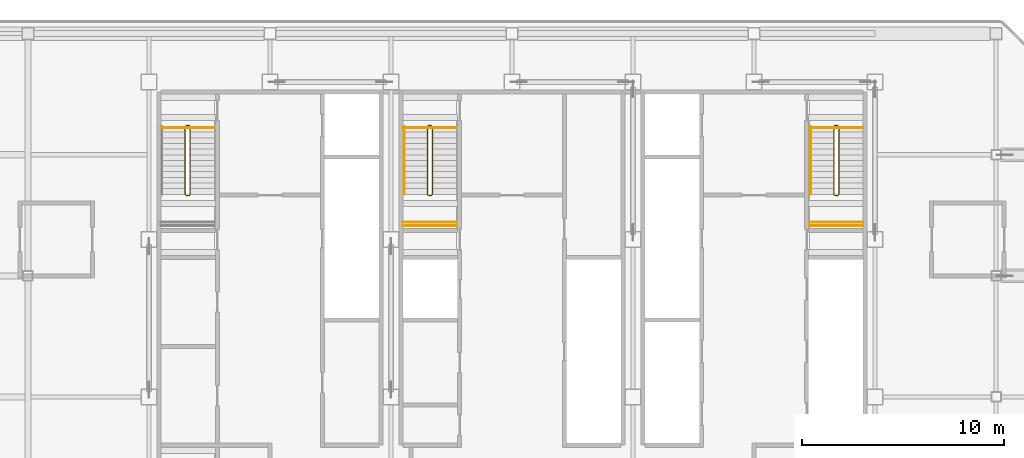
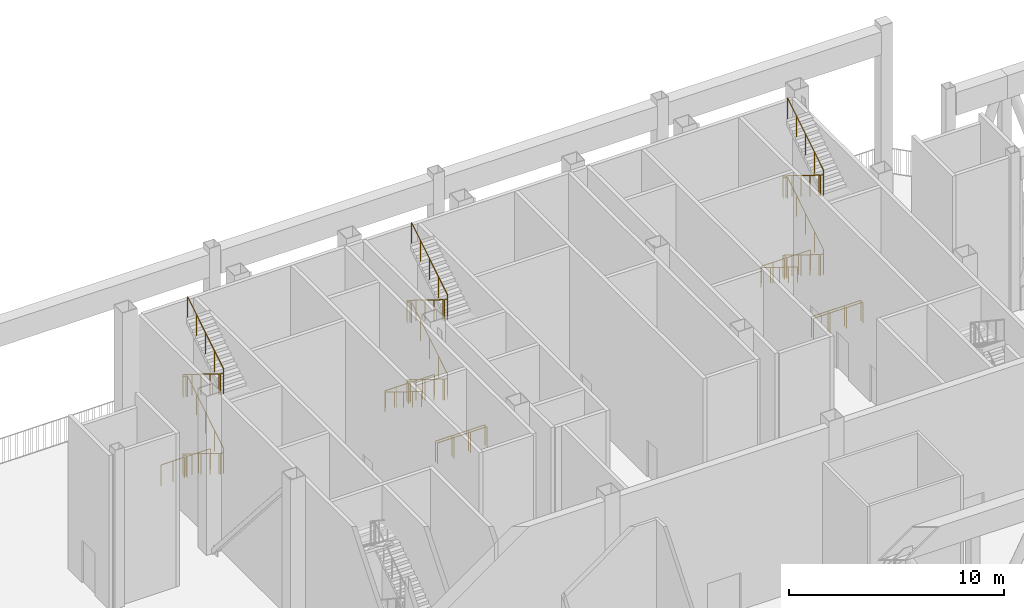
# One storey, part 19 of 22: 15 railings.
"""IFC4 building model written with IfcOpenShell, lengths in metres."""

from ifc_helpers import new_model, si_unit, direction, frame, origin, origin_2d, place, context, subcontext, project, spatial, circle, extrude, material, type_object, element, save


model = new_model("IFC4")

# Units and contexts
model_context = context("Model", 3, precision=1e-05, world=origin(), true_north=direction((0.0, 1.0)))
body_context = subcontext(model_context, "Body", "Model", "MODEL_VIEW")
ifc_project = project(units=[si_unit("LENGTHUNIT", "METRE"), si_unit("AREAUNIT", "SQUARE_METRE"), si_unit("VOLUMEUNIT", "CUBIC_METRE"), si_unit("PLANEANGLEUNIT", "RADIAN"), si_unit("MASSUNIT", "GRAM", prefix="KILO")], contexts=[model_context])

# Site, building, storey
site_placement = place(None, origin())
site = spatial("IfcSite", under=ifc_project, at=site_placement, CompositionType="ELEMENT")
building_placement = place(site_placement, origin())
building = spatial("IfcBuilding", under=site, at=building_placement, Name="Sorahane Residences", CompositionType="ELEMENT")
storey_placement = place(building_placement, frame((0.0, 0.0, 281.800048828125)))
storey = spatial("IfcBuildingStorey", under=building, at=storey_placement, Name="L67", CompositionType="ELEMENT", Elevation=281.800048828125)

# Railings
ifc_material_1 = material(Name="Steel Q355B", Category="steel")
railing_type_1 = type_object("IfcRailingType", Name="Stair guard 1200 Steel Q355B", PredefinedType="GUARDRAIL", material=ifc_material_1)
for number, where, name in (
    (1, (6.60009765625, 43.35009765625, 0.0), "L67 Stair S1 edge guard"),
    (2, (7.983154296875, 43.35009765625, 0.0), "L67 Stair S1 edge guard"),
):
    element("IfcRailing", number, at=place(storey_placement, frame(where)), inside=storey, type_object=railing_type_1, Name=name, PredefinedType="GUARDRAIL", context=body_context, shape_type="SweptSolid", body=[
        extrude(circle(Radius=0.02392578125, at=origin_2d()), frame((0.0, 0.0, 1.17578125), z_axis=(1.0, 0.0, 0.0), x_axis=(0.0, 1.0, 0.0)), (0.0, 0.0, 1.0), 1.266845703125),
        extrude(circle(Radius=0.02099609375, at=origin_2d()), origin(), (0.0, 0.0, 1.0), 1.15185546875),
        extrude(circle(Radius=0.02099609375, at=origin_2d()), frame((0.63330078125, 0.0, 0.0)), (0.0, 0.0, 1.0), 1.15185546875),
        extrude(circle(Radius=0.02099609375, at=origin_2d()), frame((1.266845703125, 0.0, 0.0)), (0.0, 0.0, 1.0), 1.15185546875),
    ])
railing_1_placement = place(storey_placement, frame((8.0, 43.449951171875, 0.0)))
element("IfcRailing", 3, at=railing_1_placement, inside=storey, type_object=railing_type_1, Name="L67 S1 stair guard 1", PredefinedType="GUARDRAIL", context=body_context, shape_type="SweptSolid", body=[
    extrude(circle(Radius=0.02392578125, at=origin_2d()), frame((0.0, 0.0, 1.17578125), z_axis=(-1.0, 0.0, 0.0), x_axis=(0.0, -1.0, 0.0)), (0.0, 0.0, 1.0), 0.14990234375),
    extrude(circle(Radius=0.02392578125, at=origin_2d()), frame((-0.14990234375, 0.0, 1.17578125), z_axis=(-0.267629722418, -0.267629722418, 0.925607186314), x_axis=(0.707106781187, -0.707106781187, 0.0)), (0.0, 0.0, 1.0), 0.18701171875),
    extrude(circle(Radius=0.02392578125, at=origin_2d()), frame((-0.199951171875, -0.050048828125, 1.34912109375), z_axis=(0.0, -0.850606129759, 0.525803396734), x_axis=(1.0, 0.0, 0.0)), (0.0, 0.0, 1.0), 3.949951171875),
    extrude(circle(Radius=0.02392578125, at=origin_2d()), frame((-0.199951171875, -3.409912109375, 3.42578125), z_axis=(0.707106781187, -0.707106781187, 0.0), x_axis=(0.707106781187, 0.707106781187, 0.0)), (0.0, 0.0, 1.0), 0.07080078125),
    extrude(circle(Radius=0.02392578125, at=origin_2d()), frame((-0.14990234375, -3.4599609375, 3.42578125), z_axis=(1.0, 0.0, 0.0), x_axis=(0.0, 1.0, 0.0)), (0.0, 0.0, 1.0), 0.14990234375),
    extrude(circle(Radius=0.02392578125, at=origin_2d()), frame((0.0, -3.4599609375, 3.42578125), z_axis=(0.267629722418, 0.267629722418, 0.925607186314), x_axis=(-0.707106781187, 0.707106781187, 0.0)), (0.0, 0.0, 1.0), 0.18701171875),
    extrude(circle(Radius=0.02392578125, at=origin_2d()), frame((0.050048828125, -3.409912109375, 3.59912109375), z_axis=(0.0, 0.850606129759, 0.525803396734), x_axis=(-1.0, 0.0, 0.0)), (0.0, 0.0, 1.0), 3.949951171875),
    extrude(circle(Radius=0.02392578125, at=origin_2d()), frame((0.050048828125, -0.050048828125, 5.67578125), z_axis=(-0.707106781187, 0.707106781187, 0.0), x_axis=(-0.707106781187, -0.707106781187, 0.0)), (0.0, 0.0, 1.0), 0.07080078125),
    extrude(circle(Radius=0.02392578125, at=origin_2d()), frame((0.0, 0.0, 5.67578125), z_axis=(-1.0, 0.0, 0.0), x_axis=(0.0, -1.0, 0.0)), (0.0, 0.0, 1.0), 0.14990234375),
    extrude(circle(Radius=0.02392578125, at=origin_2d()), frame((-0.14990234375, 0.0, 5.67578125), z_axis=(-0.267629722418, -0.267629722418, 0.925607186314), x_axis=(0.707106781187, -0.707106781187, 0.0)), (0.0, 0.0, 1.0), 0.18701171875),
    extrude(circle(Radius=0.02392578125, at=origin_2d()), frame((-0.199951171875, -0.050048828125, 5.84912109375), z_axis=(0.0, -0.850606129759, 0.525803396734), x_axis=(1.0, 0.0, 0.0)), (0.0, 0.0, 1.0), 3.949951171875),
    extrude(circle(Radius=0.02392578125, at=origin_2d()), frame((-0.199951171875, -3.409912109375, 7.92578125), z_axis=(0.707106781187, -0.707106781187, 0.0), x_axis=(0.707106781187, 0.707106781187, 0.0)), (0.0, 0.0, 1.0), 0.07080078125),
    extrude(circle(Radius=0.02392578125, at=origin_2d()), frame((-0.14990234375, -3.4599609375, 7.92578125), z_axis=(1.0, 0.0, 0.0), x_axis=(0.0, 1.0, 0.0)), (0.0, 0.0, 1.0), 0.14990234375),
    extrude(circle(Radius=0.02392578125, at=origin_2d()), frame((0.0, -3.4599609375, 7.92578125), z_axis=(0.267629722418, 0.267629722418, 0.925607186314), x_axis=(-0.707106781187, 0.707106781187, 0.0)), (0.0, 0.0, 1.0), 0.18701171875),
    extrude(circle(Radius=0.02392578125, at=origin_2d()), frame((0.050048828125, -3.409912109375, 8.09912109375), z_axis=(0.0, 0.850606129759, 0.525803396734), x_axis=(-1.0, 0.0, 0.0)), (0.0, 0.0, 1.0), 3.949951171875),
    extrude(circle(Radius=0.02099609375, at=origin_2d()), origin(), (0.0, 0.0, 1.0), 1.15185546875),
    extrude(circle(Radius=0.02099609375, at=origin_2d()), frame((-0.14990234375, 0.0, 0.0)), (0.0, 0.0, 1.0), 1.15185546875),
    extrude(circle(Radius=0.02099609375, at=origin_2d()), frame((-0.199951171875, -0.050048828125, 0.173095703125)), (0.0, 0.0, 1.0), 1.15185546875),
    extrude(circle(Radius=0.02099609375, at=origin_2d()), frame((-0.199951171875, -0.89013671875, 0.6923828125)), (0.0, 0.0, 1.0), 1.15185546875),
    extrude(circle(Radius=0.02099609375, at=origin_2d()), frame((-0.199951171875, -1.72998046875, 1.21142578125)), (0.0, 0.0, 1.0), 1.15185546875),
    extrude(circle(Radius=0.02099609375, at=origin_2d()), frame((-0.199951171875, -2.56982421875, 1.730712890625)), (0.0, 0.0, 1.0), 1.15185546875),
    extrude(circle(Radius=0.02099609375, at=origin_2d()), frame((-0.199951171875, -3.409912109375, 2.25)), (0.0, 0.0, 1.0), 1.15185546875),
    extrude(circle(Radius=0.02099609375, at=origin_2d()), frame((-0.14990234375, -3.4599609375, 2.25)), (0.0, 0.0, 1.0), 1.15185546875),
    extrude(circle(Radius=0.02099609375, at=origin_2d()), frame((0.0, -3.4599609375, 2.25)), (0.0, 0.0, 1.0), 1.15185546875),
    extrude(circle(Radius=0.02099609375, at=origin_2d()), frame((0.050048828125, -3.409912109375, 2.423095703125)), (0.0, 0.0, 1.0), 1.15185546875),
    extrude(circle(Radius=0.02099609375, at=origin_2d()), frame((0.050048828125, -2.56982421875, 2.9423828125)), (0.0, 0.0, 1.0), 1.15185546875),
    extrude(circle(Radius=0.02099609375, at=origin_2d()), frame((0.050048828125, -1.72998046875, 3.46142578125)), (0.0, 0.0, 1.0), 1.15185546875),
    extrude(circle(Radius=0.02099609375, at=origin_2d()), frame((0.050048828125, -0.89013671875, 3.980712890625)), (0.0, 0.0, 1.0), 1.15185546875),
    extrude(circle(Radius=0.02099609375, at=origin_2d()), frame((0.050048828125, -0.050048828125, 4.5)), (0.0, 0.0, 1.0), 1.15185546875),
    extrude(circle(Radius=0.02099609375, at=origin_2d()), frame((0.0, 0.0, 4.5)), (0.0, 0.0, 1.0), 1.15185546875),
    extrude(circle(Radius=0.02099609375, at=origin_2d()), frame((-0.14990234375, 0.0, 4.5)), (0.0, 0.0, 1.0), 1.15185546875),
    extrude(circle(Radius=0.02099609375, at=origin_2d()), frame((-0.199951171875, -0.050048828125, 4.673095703125)), (0.0, 0.0, 1.0), 1.15185546875),
    extrude(circle(Radius=0.02099609375, at=origin_2d()), frame((-0.199951171875, -0.89013671875, 5.1923828125)), (0.0, 0.0, 1.0), 1.15185546875),
    extrude(circle(Radius=0.02099609375, at=origin_2d()), frame((-0.199951171875, -1.72998046875, 5.71142578125)), (0.0, 0.0, 1.0), 1.15185546875),
    extrude(circle(Radius=0.02099609375, at=origin_2d()), frame((-0.199951171875, -2.56982421875, 6.230712890625)), (0.0, 0.0, 1.0), 1.15185546875),
    extrude(circle(Radius=0.02099609375, at=origin_2d()), frame((-0.199951171875, -3.409912109375, 6.75)), (0.0, 0.0, 1.0), 1.15185546875),
    extrude(circle(Radius=0.02099609375, at=origin_2d()), frame((-0.14990234375, -3.4599609375, 6.75)), (0.0, 0.0, 1.0), 1.15185546875),
    extrude(circle(Radius=0.02099609375, at=origin_2d()), frame((0.0, -3.4599609375, 6.75)), (0.0, 0.0, 1.0), 1.15185546875),
    extrude(circle(Radius=0.02099609375, at=origin_2d()), frame((0.050048828125, -3.409912109375, 6.923095703125)), (0.0, 0.0, 1.0), 1.15185546875),
    extrude(circle(Radius=0.02099609375, at=origin_2d()), frame((0.050048828125, -2.56982421875, 7.4423828125)), (0.0, 0.0, 1.0), 1.15185546875),
    extrude(circle(Radius=0.02099609375, at=origin_2d()), frame((0.050048828125, -1.72998046875, 7.96142578125)), (0.0, 0.0, 1.0), 1.15185546875),
    extrude(circle(Radius=0.02099609375, at=origin_2d()), frame((0.050048828125, -0.89013671875, 8.480712890625)), (0.0, 0.0, 1.0), 1.15185546875),
    extrude(circle(Radius=0.02099609375, at=origin_2d()), frame((0.050048828125, -0.050048828125, 9.0)), (0.0, 0.0, 1.0), 1.15185546875),
])
railing_2_placement = place(storey_placement, frame((41.39990234375, 38.47509765625, 0.0)))
element("IfcRailing", 4, at=railing_2_placement, inside=storey, type_object=railing_type_1, Name="L67 S2 top well guard 1", PredefinedType="GUARDRAIL", context=body_context, shape_type="SweptSolid", body=[
    extrude(circle(Radius=0.02392578125, at=origin_2d()), frame((0.0, 0.0, 1.17578125), z_axis=(-1.0, 0.0, 0.0), x_axis=(0.0, -1.0, 0.0)), (0.0, 0.0, 1.0), 2.64990234375),
    extrude(circle(Radius=0.02099609375, at=origin_2d()), origin(), (0.0, 0.0, 1.0), 1.15185546875),
    extrude(circle(Radius=0.02099609375, at=origin_2d()), frame((-0.88330078125, 0.0, 0.0)), (0.0, 0.0, 1.0), 1.15185546875),
    extrude(circle(Radius=0.02099609375, at=origin_2d()), frame((-1.7666015625, 0.0, 0.0)), (0.0, 0.0, 1.0), 1.15185546875),
    extrude(circle(Radius=0.02099609375, at=origin_2d()), frame((-2.64990234375, 0.0, 0.0)), (0.0, 0.0, 1.0), 1.15185546875),
])
railing_3_placement = place(storey_placement, frame((38.75, 38.64990234375, 0.0)))
element("IfcRailing", 5, at=railing_3_placement, inside=storey, type_object=railing_type_1, Name="L67 Stair S2 edge guard", PredefinedType="GUARDRAIL", context=body_context, shape_type="SweptSolid", body=[
    extrude(circle(Radius=0.02392578125, at=origin_2d()), frame((0.0, 0.0, 1.17578125), z_axis=(1.0, 0.0, 0.0), x_axis=(0.0, 1.0, 0.0)), (0.0, 0.0, 1.0), 2.64990234375),
    extrude(circle(Radius=0.02099609375, at=origin_2d()), origin(), (0.0, 0.0, 1.0), 1.15185546875),
    extrude(circle(Radius=0.02099609375, at=origin_2d()), frame((0.88330078125, 0.0, 0.0)), (0.0, 0.0, 1.0), 1.15185546875),
    extrude(circle(Radius=0.02099609375, at=origin_2d()), frame((1.7666015625, 0.0, 0.0)), (0.0, 0.0, 1.0), 1.15185546875),
    extrude(circle(Radius=0.02099609375, at=origin_2d()), frame((2.64990234375, 0.0, 0.0)), (0.0, 0.0, 1.0), 1.15185546875),
])
for number, where, name in (
    (6, (38.75, 43.35009765625, 0.0), "L67 Stair S2 edge guard"),
    (7, (40.133056640625, 43.35009765625, 0.0), "L67 Stair S2 edge guard"),
):
    element("IfcRailing", number, at=place(storey_placement, frame(where)), inside=storey, type_object=railing_type_1, Name=name, PredefinedType="GUARDRAIL", context=body_context, shape_type="SweptSolid", body=[
        extrude(circle(Radius=0.02392578125, at=origin_2d()), frame((0.0, 0.0, 1.17578125), z_axis=(1.0, 0.0, 0.0), x_axis=(0.0, 1.0, 0.0)), (0.0, 0.0, 1.0), 1.266845703125),
        extrude(circle(Radius=0.02099609375, at=origin_2d()), origin(), (0.0, 0.0, 1.0), 1.15185546875),
        extrude(circle(Radius=0.02099609375, at=origin_2d()), frame((0.63330078125, 0.0, 0.0)), (0.0, 0.0, 1.0), 1.15185546875),
        extrude(circle(Radius=0.02099609375, at=origin_2d()), frame((1.266845703125, 0.0, 0.0)), (0.0, 0.0, 1.0), 1.15185546875),
    ])
railing_4_placement = place(storey_placement, frame((40.14990234375, 43.449951171875, 0.0)))
element("IfcRailing", 8, at=railing_4_placement, inside=storey, type_object=railing_type_1, Name="L67 S2 stair guard 1", PredefinedType="GUARDRAIL", context=body_context, shape_type="SweptSolid", body=[
    extrude(circle(Radius=0.02392578125, at=origin_2d()), frame((0.0, 0.0, 1.17578125), z_axis=(-1.0, 0.0, 0.0), x_axis=(0.0, -1.0, 0.0)), (0.0, 0.0, 1.0), 0.14990234375),
    extrude(circle(Radius=0.02392578125, at=origin_2d()), frame((-0.14990234375, 0.0, 1.17578125), z_axis=(-0.267629722418, -0.267629722418, 0.925607186314), x_axis=(0.707106781187, -0.707106781187, 0.0)), (0.0, 0.0, 1.0), 0.18701171875),
    extrude(circle(Radius=0.02392578125, at=origin_2d()), frame((-0.199951171875, -0.050048828125, 1.34912109375), z_axis=(0.0, -0.850606129759, 0.525803396734), x_axis=(1.0, 0.0, 0.0)), (0.0, 0.0, 1.0), 3.949951171875),
    extrude(circle(Radius=0.02392578125, at=origin_2d()), frame((-0.199951171875, -3.409912109375, 3.42578125), z_axis=(0.707106781187, -0.707106781187, 0.0), x_axis=(0.707106781187, 0.707106781187, 0.0)), (0.0, 0.0, 1.0), 0.07080078125),
    extrude(circle(Radius=0.02392578125, at=origin_2d()), frame((-0.14990234375, -3.4599609375, 3.42578125), z_axis=(1.0, 0.0, 0.0), x_axis=(0.0, 1.0, 0.0)), (0.0, 0.0, 1.0), 0.14990234375),
    extrude(circle(Radius=0.02392578125, at=origin_2d()), frame((0.0, -3.4599609375, 3.42578125), z_axis=(0.267629722418, 0.267629722418, 0.925607186314), x_axis=(-0.707106781187, 0.707106781187, 0.0)), (0.0, 0.0, 1.0), 0.18701171875),
    extrude(circle(Radius=0.02392578125, at=origin_2d()), frame((0.050048828125, -3.409912109375, 3.59912109375), z_axis=(0.0, 0.850606129759, 0.525803396734), x_axis=(-1.0, 0.0, 0.0)), (0.0, 0.0, 1.0), 3.949951171875),
    extrude(circle(Radius=0.02392578125, at=origin_2d()), frame((0.050048828125, -0.050048828125, 5.67578125), z_axis=(-0.707106781187, 0.707106781187, 0.0), x_axis=(-0.707106781187, -0.707106781187, 0.0)), (0.0, 0.0, 1.0), 0.07080078125),
    extrude(circle(Radius=0.02392578125, at=origin_2d()), frame((0.0, 0.0, 5.67578125), z_axis=(-1.0, 0.0, 0.0), x_axis=(0.0, -1.0, 0.0)), (0.0, 0.0, 1.0), 0.14990234375),
    extrude(circle(Radius=0.02392578125, at=origin_2d()), frame((-0.14990234375, 0.0, 5.67578125), z_axis=(-0.267629722418, -0.267629722418, 0.925607186314), x_axis=(0.707106781187, -0.707106781187, 0.0)), (0.0, 0.0, 1.0), 0.18701171875),
    extrude(circle(Radius=0.02392578125, at=origin_2d()), frame((-0.199951171875, -0.050048828125, 5.84912109375), z_axis=(0.0, -0.850606129759, 0.525803396734), x_axis=(1.0, 0.0, 0.0)), (0.0, 0.0, 1.0), 3.949951171875),
    extrude(circle(Radius=0.02392578125, at=origin_2d()), frame((-0.199951171875, -3.409912109375, 7.92578125), z_axis=(0.707106781187, -0.707106781187, 0.0), x_axis=(0.707106781187, 0.707106781187, 0.0)), (0.0, 0.0, 1.0), 0.07080078125),
    extrude(circle(Radius=0.02392578125, at=origin_2d()), frame((-0.14990234375, -3.4599609375, 7.92578125), z_axis=(1.0, 0.0, 0.0), x_axis=(0.0, 1.0, 0.0)), (0.0, 0.0, 1.0), 0.14990234375),
    extrude(circle(Radius=0.02392578125, at=origin_2d()), frame((0.0, -3.4599609375, 7.92578125), z_axis=(0.267629722418, 0.267629722418, 0.925607186314), x_axis=(-0.707106781187, 0.707106781187, 0.0)), (0.0, 0.0, 1.0), 0.18701171875),
    extrude(circle(Radius=0.02392578125, at=origin_2d()), frame((0.050048828125, -3.409912109375, 8.09912109375), z_axis=(0.0, 0.850606129759, 0.525803396734), x_axis=(-1.0, 0.0, 0.0)), (0.0, 0.0, 1.0), 3.949951171875),
    extrude(circle(Radius=0.02099609375, at=origin_2d()), origin(), (0.0, 0.0, 1.0), 1.15185546875),
    extrude(circle(Radius=0.02099609375, at=origin_2d()), frame((-0.14990234375, 0.0, 0.0)), (0.0, 0.0, 1.0), 1.15185546875),
    extrude(circle(Radius=0.02099609375, at=origin_2d()), frame((-0.199951171875, -0.050048828125, 0.173095703125)), (0.0, 0.0, 1.0), 1.15185546875),
    extrude(circle(Radius=0.02099609375, at=origin_2d()), frame((-0.199951171875, -0.89013671875, 0.6923828125)), (0.0, 0.0, 1.0), 1.15185546875),
    extrude(circle(Radius=0.02099609375, at=origin_2d()), frame((-0.199951171875, -1.72998046875, 1.21142578125)), (0.0, 0.0, 1.0), 1.15185546875),
    extrude(circle(Radius=0.02099609375, at=origin_2d()), frame((-0.199951171875, -2.56982421875, 1.730712890625)), (0.0, 0.0, 1.0), 1.15185546875),
    extrude(circle(Radius=0.02099609375, at=origin_2d()), frame((-0.199951171875, -3.409912109375, 2.25)), (0.0, 0.0, 1.0), 1.15185546875),
    extrude(circle(Radius=0.02099609375, at=origin_2d()), frame((-0.14990234375, -3.4599609375, 2.25)), (0.0, 0.0, 1.0), 1.15185546875),
    extrude(circle(Radius=0.02099609375, at=origin_2d()), frame((0.0, -3.4599609375, 2.25)), (0.0, 0.0, 1.0), 1.15185546875),
    extrude(circle(Radius=0.02099609375, at=origin_2d()), frame((0.050048828125, -3.409912109375, 2.423095703125)), (0.0, 0.0, 1.0), 1.15185546875),
    extrude(circle(Radius=0.02099609375, at=origin_2d()), frame((0.050048828125, -2.56982421875, 2.9423828125)), (0.0, 0.0, 1.0), 1.15185546875),
    extrude(circle(Radius=0.02099609375, at=origin_2d()), frame((0.050048828125, -1.72998046875, 3.46142578125)), (0.0, 0.0, 1.0), 1.15185546875),
    extrude(circle(Radius=0.02099609375, at=origin_2d()), frame((0.050048828125, -0.89013671875, 3.980712890625)), (0.0, 0.0, 1.0), 1.15185546875),
    extrude(circle(Radius=0.02099609375, at=origin_2d()), frame((0.050048828125, -0.050048828125, 4.5)), (0.0, 0.0, 1.0), 1.15185546875),
    extrude(circle(Radius=0.02099609375, at=origin_2d()), frame((0.0, 0.0, 4.5)), (0.0, 0.0, 1.0), 1.15185546875),
    extrude(circle(Radius=0.02099609375, at=origin_2d()), frame((-0.14990234375, 0.0, 4.5)), (0.0, 0.0, 1.0), 1.15185546875),
    extrude(circle(Radius=0.02099609375, at=origin_2d()), frame((-0.199951171875, -0.050048828125, 4.673095703125)), (0.0, 0.0, 1.0), 1.15185546875),
    extrude(circle(Radius=0.02099609375, at=origin_2d()), frame((-0.199951171875, -0.89013671875, 5.1923828125)), (0.0, 0.0, 1.0), 1.15185546875),
    extrude(circle(Radius=0.02099609375, at=origin_2d()), frame((-0.199951171875, -1.72998046875, 5.71142578125)), (0.0, 0.0, 1.0), 1.15185546875),
    extrude(circle(Radius=0.02099609375, at=origin_2d()), frame((-0.199951171875, -2.56982421875, 6.230712890625)), (0.0, 0.0, 1.0), 1.15185546875),
    extrude(circle(Radius=0.02099609375, at=origin_2d()), frame((-0.199951171875, -3.409912109375, 6.75)), (0.0, 0.0, 1.0), 1.15185546875),
    extrude(circle(Radius=0.02099609375, at=origin_2d()), frame((-0.14990234375, -3.4599609375, 6.75)), (0.0, 0.0, 1.0), 1.15185546875),
    extrude(circle(Radius=0.02099609375, at=origin_2d()), frame((0.0, -3.4599609375, 6.75)), (0.0, 0.0, 1.0), 1.15185546875),
    extrude(circle(Radius=0.02099609375, at=origin_2d()), frame((0.050048828125, -3.409912109375, 6.923095703125)), (0.0, 0.0, 1.0), 1.15185546875),
    extrude(circle(Radius=0.02099609375, at=origin_2d()), frame((0.050048828125, -2.56982421875, 7.4423828125)), (0.0, 0.0, 1.0), 1.15185546875),
    extrude(circle(Radius=0.02099609375, at=origin_2d()), frame((0.050048828125, -1.72998046875, 7.96142578125)), (0.0, 0.0, 1.0), 1.15185546875),
    extrude(circle(Radius=0.02099609375, at=origin_2d()), frame((0.050048828125, -0.89013671875, 8.480712890625)), (0.0, 0.0, 1.0), 1.15185546875),
    extrude(circle(Radius=0.02099609375, at=origin_2d()), frame((0.050048828125, -0.050048828125, 9.0)), (0.0, 0.0, 1.0), 1.15185546875),
])
railing_5_placement = place(storey_placement, frame((21.25, 38.47509765625, 0.0)))
element("IfcRailing", 9, at=railing_5_placement, inside=storey, type_object=railing_type_1, Name="L67 S3 top well guard 1", PredefinedType="GUARDRAIL", context=body_context, shape_type="SweptSolid", body=[
    extrude(circle(Radius=0.02392578125, at=origin_2d()), frame((0.0, 0.0, 1.17578125), z_axis=(-1.0, 0.0, 0.0), x_axis=(0.0, -1.0, 0.0)), (0.0, 0.0, 1.0), 2.64990234375),
    extrude(circle(Radius=0.02099609375, at=origin_2d()), origin(), (0.0, 0.0, 1.0), 1.15185546875),
    extrude(circle(Radius=0.02099609375, at=origin_2d()), frame((-0.88330078125, 0.0, 0.0)), (0.0, 0.0, 1.0), 1.15185546875),
    extrude(circle(Radius=0.02099609375, at=origin_2d()), frame((-1.7666015625, 0.0, 0.0)), (0.0, 0.0, 1.0), 1.15185546875),
    extrude(circle(Radius=0.02099609375, at=origin_2d()), frame((-2.64990234375, 0.0, 0.0)), (0.0, 0.0, 1.0), 1.15185546875),
])
railing_6_placement = place(storey_placement, frame((18.60009765625, 38.64990234375, 0.0)))
element("IfcRailing", 10, at=railing_6_placement, inside=storey, type_object=railing_type_1, Name="L67 Stair S3 edge guard", PredefinedType="GUARDRAIL", context=body_context, shape_type="SweptSolid", body=[
    extrude(circle(Radius=0.02392578125, at=origin_2d()), frame((0.0, 0.0, 1.17578125), z_axis=(1.0, 0.0, 0.0), x_axis=(0.0, 1.0, 0.0)), (0.0, 0.0, 1.0), 2.64990234375),
    extrude(circle(Radius=0.02099609375, at=origin_2d()), origin(), (0.0, 0.0, 1.0), 1.15185546875),
    extrude(circle(Radius=0.02099609375, at=origin_2d()), frame((0.88330078125, 0.0, 0.0)), (0.0, 0.0, 1.0), 1.15185546875),
    extrude(circle(Radius=0.02099609375, at=origin_2d()), frame((1.7666015625, 0.0, 0.0)), (0.0, 0.0, 1.0), 1.15185546875),
    extrude(circle(Radius=0.02099609375, at=origin_2d()), frame((2.64990234375, 0.0, 0.0)), (0.0, 0.0, 1.0), 1.15185546875),
])
for number, where, name in (
    (11, (18.60009765625, 43.35009765625, 0.0), "L67 Stair S3 edge guard"),
    (12, (19.983154296875, 43.35009765625, 0.0), "L67 Stair S3 edge guard"),
):
    element("IfcRailing", number, at=place(storey_placement, frame(where)), inside=storey, type_object=railing_type_1, Name=name, PredefinedType="GUARDRAIL", context=body_context, shape_type="SweptSolid", body=[
        extrude(circle(Radius=0.02392578125, at=origin_2d()), frame((0.0, 0.0, 1.17578125), z_axis=(1.0, 0.0, 0.0), x_axis=(0.0, 1.0, 0.0)), (0.0, 0.0, 1.0), 1.266845703125),
        extrude(circle(Radius=0.02099609375, at=origin_2d()), origin(), (0.0, 0.0, 1.0), 1.15185546875),
        extrude(circle(Radius=0.02099609375, at=origin_2d()), frame((0.63330078125, 0.0, 0.0)), (0.0, 0.0, 1.0), 1.15185546875),
        extrude(circle(Radius=0.02099609375, at=origin_2d()), frame((1.266845703125, 0.0, 0.0)), (0.0, 0.0, 1.0), 1.15185546875),
    ])
railing_7_placement = place(storey_placement, frame((20.0, 43.449951171875, 0.0)))
element("IfcRailing", 13, at=railing_7_placement, inside=storey, type_object=railing_type_1, Name="L67 S3 stair guard 1", PredefinedType="GUARDRAIL", context=body_context, shape_type="SweptSolid", body=[
    extrude(circle(Radius=0.02392578125, at=origin_2d()), frame((0.0, 0.0, 1.17578125), z_axis=(-1.0, 0.0, 0.0), x_axis=(0.0, -1.0, 0.0)), (0.0, 0.0, 1.0), 0.14990234375),
    extrude(circle(Radius=0.02392578125, at=origin_2d()), frame((-0.14990234375, 0.0, 1.17578125), z_axis=(-0.267629722418, -0.267629722418, 0.925607186314), x_axis=(0.707106781187, -0.707106781187, 0.0)), (0.0, 0.0, 1.0), 0.18701171875),
    extrude(circle(Radius=0.02392578125, at=origin_2d()), frame((-0.199951171875, -0.050048828125, 1.34912109375), z_axis=(0.0, -0.850606129759, 0.525803396734), x_axis=(1.0, 0.0, 0.0)), (0.0, 0.0, 1.0), 3.949951171875),
    extrude(circle(Radius=0.02392578125, at=origin_2d()), frame((-0.199951171875, -3.409912109375, 3.42578125), z_axis=(0.707106781187, -0.707106781187, 0.0), x_axis=(0.707106781187, 0.707106781187, 0.0)), (0.0, 0.0, 1.0), 0.07080078125),
    extrude(circle(Radius=0.02392578125, at=origin_2d()), frame((-0.14990234375, -3.4599609375, 3.42578125), z_axis=(1.0, 0.0, 0.0), x_axis=(0.0, 1.0, 0.0)), (0.0, 0.0, 1.0), 0.14990234375),
    extrude(circle(Radius=0.02392578125, at=origin_2d()), frame((0.0, -3.4599609375, 3.42578125), z_axis=(0.267629722418, 0.267629722418, 0.925607186314), x_axis=(-0.707106781187, 0.707106781187, 0.0)), (0.0, 0.0, 1.0), 0.18701171875),
    extrude(circle(Radius=0.02392578125, at=origin_2d()), frame((0.050048828125, -3.409912109375, 3.59912109375), z_axis=(0.0, 0.850606129759, 0.525803396734), x_axis=(-1.0, 0.0, 0.0)), (0.0, 0.0, 1.0), 3.949951171875),
    extrude(circle(Radius=0.02392578125, at=origin_2d()), frame((0.050048828125, -0.050048828125, 5.67578125), z_axis=(-0.707106781187, 0.707106781187, 0.0), x_axis=(-0.707106781187, -0.707106781187, 0.0)), (0.0, 0.0, 1.0), 0.07080078125),
    extrude(circle(Radius=0.02392578125, at=origin_2d()), frame((0.0, 0.0, 5.67578125), z_axis=(-1.0, 0.0, 0.0), x_axis=(0.0, -1.0, 0.0)), (0.0, 0.0, 1.0), 0.14990234375),
    extrude(circle(Radius=0.02392578125, at=origin_2d()), frame((-0.14990234375, 0.0, 5.67578125), z_axis=(-0.267629722418, -0.267629722418, 0.925607186314), x_axis=(0.707106781187, -0.707106781187, 0.0)), (0.0, 0.0, 1.0), 0.18701171875),
    extrude(circle(Radius=0.02392578125, at=origin_2d()), frame((-0.199951171875, -0.050048828125, 5.84912109375), z_axis=(0.0, -0.850606129759, 0.525803396734), x_axis=(1.0, 0.0, 0.0)), (0.0, 0.0, 1.0), 3.949951171875),
    extrude(circle(Radius=0.02392578125, at=origin_2d()), frame((-0.199951171875, -3.409912109375, 7.92578125), z_axis=(0.707106781187, -0.707106781187, 0.0), x_axis=(0.707106781187, 0.707106781187, 0.0)), (0.0, 0.0, 1.0), 0.07080078125),
    extrude(circle(Radius=0.02392578125, at=origin_2d()), frame((-0.14990234375, -3.4599609375, 7.92578125), z_axis=(1.0, 0.0, 0.0), x_axis=(0.0, 1.0, 0.0)), (0.0, 0.0, 1.0), 0.14990234375),
    extrude(circle(Radius=0.02392578125, at=origin_2d()), frame((0.0, -3.4599609375, 7.92578125), z_axis=(0.267629722418, 0.267629722418, 0.925607186314), x_axis=(-0.707106781187, 0.707106781187, 0.0)), (0.0, 0.0, 1.0), 0.18701171875),
    extrude(circle(Radius=0.02392578125, at=origin_2d()), frame((0.050048828125, -3.409912109375, 8.09912109375), z_axis=(0.0, 0.850606129759, 0.525803396734), x_axis=(-1.0, 0.0, 0.0)), (0.0, 0.0, 1.0), 3.949951171875),
    extrude(circle(Radius=0.02099609375, at=origin_2d()), origin(), (0.0, 0.0, 1.0), 1.15185546875),
    extrude(circle(Radius=0.02099609375, at=origin_2d()), frame((-0.14990234375, 0.0, 0.0)), (0.0, 0.0, 1.0), 1.15185546875),
    extrude(circle(Radius=0.02099609375, at=origin_2d()), frame((-0.199951171875, -0.050048828125, 0.173095703125)), (0.0, 0.0, 1.0), 1.15185546875),
    extrude(circle(Radius=0.02099609375, at=origin_2d()), frame((-0.199951171875, -0.89013671875, 0.6923828125)), (0.0, 0.0, 1.0), 1.15185546875),
    extrude(circle(Radius=0.02099609375, at=origin_2d()), frame((-0.199951171875, -1.72998046875, 1.21142578125)), (0.0, 0.0, 1.0), 1.15185546875),
    extrude(circle(Radius=0.02099609375, at=origin_2d()), frame((-0.199951171875, -2.56982421875, 1.730712890625)), (0.0, 0.0, 1.0), 1.15185546875),
    extrude(circle(Radius=0.02099609375, at=origin_2d()), frame((-0.199951171875, -3.409912109375, 2.25)), (0.0, 0.0, 1.0), 1.15185546875),
    extrude(circle(Radius=0.02099609375, at=origin_2d()), frame((-0.14990234375, -3.4599609375, 2.25)), (0.0, 0.0, 1.0), 1.15185546875),
    extrude(circle(Radius=0.02099609375, at=origin_2d()), frame((0.0, -3.4599609375, 2.25)), (0.0, 0.0, 1.0), 1.15185546875),
    extrude(circle(Radius=0.02099609375, at=origin_2d()), frame((0.050048828125, -3.409912109375, 2.423095703125)), (0.0, 0.0, 1.0), 1.15185546875),
    extrude(circle(Radius=0.02099609375, at=origin_2d()), frame((0.050048828125, -2.56982421875, 2.9423828125)), (0.0, 0.0, 1.0), 1.15185546875),
    extrude(circle(Radius=0.02099609375, at=origin_2d()), frame((0.050048828125, -1.72998046875, 3.46142578125)), (0.0, 0.0, 1.0), 1.15185546875),
    extrude(circle(Radius=0.02099609375, at=origin_2d()), frame((0.050048828125, -0.89013671875, 3.980712890625)), (0.0, 0.0, 1.0), 1.15185546875),
    extrude(circle(Radius=0.02099609375, at=origin_2d()), frame((0.050048828125, -0.050048828125, 4.5)), (0.0, 0.0, 1.0), 1.15185546875),
    extrude(circle(Radius=0.02099609375, at=origin_2d()), frame((0.0, 0.0, 4.5)), (0.0, 0.0, 1.0), 1.15185546875),
    extrude(circle(Radius=0.02099609375, at=origin_2d()), frame((-0.14990234375, 0.0, 4.5)), (0.0, 0.0, 1.0), 1.15185546875),
    extrude(circle(Radius=0.02099609375, at=origin_2d()), frame((-0.199951171875, -0.050048828125, 4.673095703125)), (0.0, 0.0, 1.0), 1.15185546875),
    extrude(circle(Radius=0.02099609375, at=origin_2d()), frame((-0.199951171875, -0.89013671875, 5.1923828125)), (0.0, 0.0, 1.0), 1.15185546875),
    extrude(circle(Radius=0.02099609375, at=origin_2d()), frame((-0.199951171875, -1.72998046875, 5.71142578125)), (0.0, 0.0, 1.0), 1.15185546875),
    extrude(circle(Radius=0.02099609375, at=origin_2d()), frame((-0.199951171875, -2.56982421875, 6.230712890625)), (0.0, 0.0, 1.0), 1.15185546875),
    extrude(circle(Radius=0.02099609375, at=origin_2d()), frame((-0.199951171875, -3.409912109375, 6.75)), (0.0, 0.0, 1.0), 1.15185546875),
    extrude(circle(Radius=0.02099609375, at=origin_2d()), frame((-0.14990234375, -3.4599609375, 6.75)), (0.0, 0.0, 1.0), 1.15185546875),
    extrude(circle(Radius=0.02099609375, at=origin_2d()), frame((0.0, -3.4599609375, 6.75)), (0.0, 0.0, 1.0), 1.15185546875),
    extrude(circle(Radius=0.02099609375, at=origin_2d()), frame((0.050048828125, -3.409912109375, 6.923095703125)), (0.0, 0.0, 1.0), 1.15185546875),
    extrude(circle(Radius=0.02099609375, at=origin_2d()), frame((0.050048828125, -2.56982421875, 7.4423828125)), (0.0, 0.0, 1.0), 1.15185546875),
    extrude(circle(Radius=0.02099609375, at=origin_2d()), frame((0.050048828125, -1.72998046875, 7.96142578125)), (0.0, 0.0, 1.0), 1.15185546875),
    extrude(circle(Radius=0.02099609375, at=origin_2d()), frame((0.050048828125, -0.89013671875, 8.480712890625)), (0.0, 0.0, 1.0), 1.15185546875),
    extrude(circle(Radius=0.02099609375, at=origin_2d()), frame((0.050048828125, -0.050048828125, 9.0)), (0.0, 0.0, 1.0), 1.15185546875),
])
ifc_material_2 = material(Name="Steel Q355B", Category="steel")
railing_type_2 = type_object("IfcRailingType", Name="Stair handrail 900 Steel Q355B", PredefinedType="HANDRAIL", material=ifc_material_2)
for number, where, name in (
    (14, (38.800048828125, 43.39990234375, 0.173095703125), "L67 S2 stair handrail 1"),
    (15, (18.64990234375, 43.39990234375, 0.173095703125), "L67 S3 stair handrail 1"),
):
    element("IfcRailing", number, at=place(storey_placement, frame(where)), inside=storey, type_object=railing_type_2, Name=name, PredefinedType="HANDRAIL", context=body_context, shape_type="SweptSolid", body=[
        extrude(circle(Radius=0.02392578125, at=origin_2d()), frame((0.0, 0.0, 0.8759765625), z_axis=(0.0, -0.850606129759, 0.525803396734), x_axis=(1.0, 0.0, 0.0)), (0.0, 0.0, 1.0), 3.949951171875),
        extrude(circle(Radius=0.02099609375, at=origin_2d()), origin(), (0.0, 0.0, 1.0), 0.851806640625),
        extrude(circle(Radius=0.02099609375, at=origin_2d()), frame((0.0, -0.83984375, 0.519287109375)), (0.0, 0.0, 1.0), 0.851806640625),
        extrude(circle(Radius=0.02099609375, at=origin_2d()), frame((0.0, -1.679931640625, 1.03857421875)), (0.0, 0.0, 1.0), 0.851806640625),
        extrude(circle(Radius=0.02099609375, at=origin_2d()), frame((0.0, -2.52001953125, 1.5576171875)), (0.0, 0.0, 1.0), 0.851806640625),
        extrude(circle(Radius=0.02099609375, at=origin_2d()), frame((0.0, -3.35986328125, 2.076904296875)), (0.0, 0.0, 1.0), 0.851806640625),
    ])

save(model, "model.ifc")
